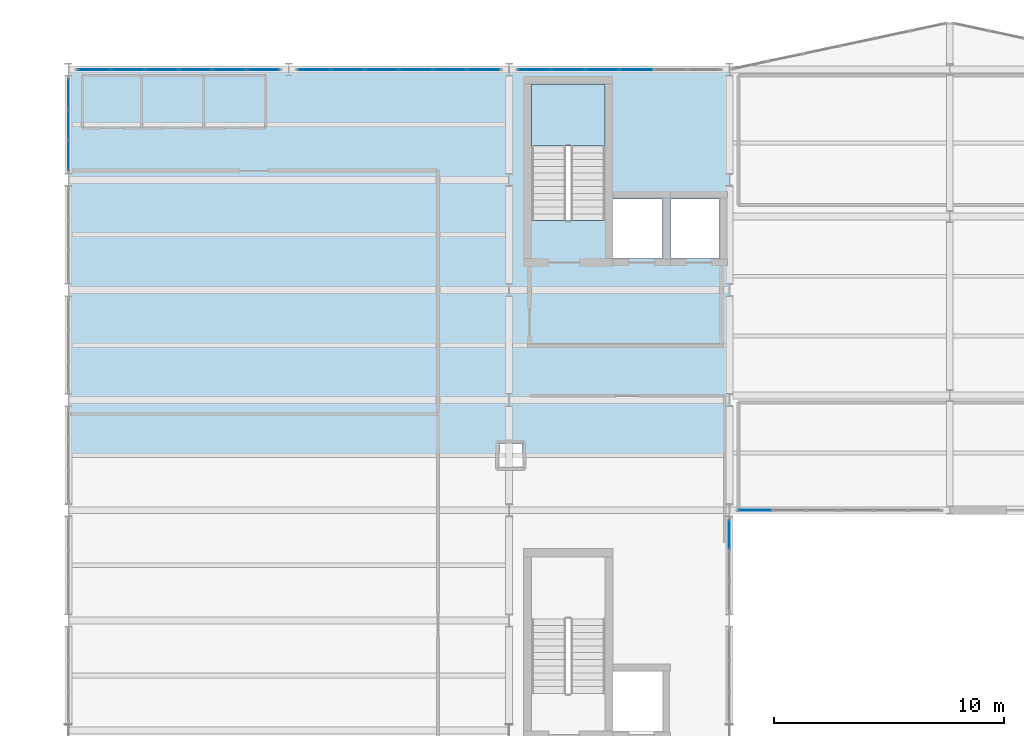
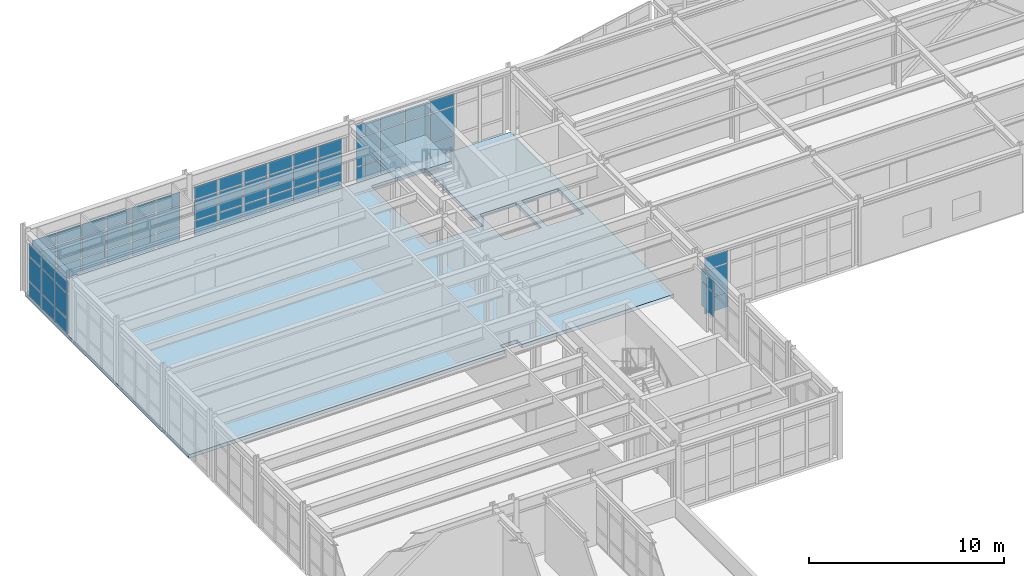
# One storey, part 46 of 64: 62 plates, 2 slabs, 7 elements without a shape of their own.
"""IFC4 building model written with IfcOpenShell, lengths in metres."""

from ifc_helpers import new_model, si_unit, direction, frame, origin, origin_2d, place, context, subcontext, project, spatial, polyline, rectangle, outline, extrude, material, layer, layer_set, type_object, element, aggregate, save


model = new_model("IFC4")

# Units and contexts
model_context = context("Model", 3, precision=1e-05, world=origin(), true_north=direction((0.0, 1.0)))
body_context = subcontext(model_context, "Body", "Model", "MODEL_VIEW")
ifc_project = project(units=[si_unit("LENGTHUNIT", "METRE"), si_unit("AREAUNIT", "SQUARE_METRE"), si_unit("VOLUMEUNIT", "CUBIC_METRE"), si_unit("PLANEANGLEUNIT", "RADIAN"), si_unit("MASSUNIT", "GRAM", prefix="KILO")], contexts=[model_context])

# Site, building, storey
site_placement = place(None, origin())
site = spatial("IfcSite", under=ifc_project, at=site_placement, CompositionType="ELEMENT")
building_placement = place(site_placement, origin())
building = spatial("IfcBuilding", under=site, at=building_placement, Name="Nordkorset Police Headquarters", CompositionType="ELEMENT")
storey_placement = place(building_placement, frame((0.0, 0.0, 17.85009765625)))
storey = spatial("IfcBuildingStorey", under=building, at=storey_placement, Name="L04", CompositionType="ELEMENT", Elevation=17.85009765625)

# Curtain wall, plates
ifc_material_1 = material(Name="Aluminium alloy AW-6060", Category="aluminium")
ifc_layer_1 = layer(ifc_material_1, 0.179931640625, Name="Aluminium alloy AW-6060")
ifc_layer_set_1 = layer_set([ifc_layer_1], Name="Aluminium alloy AW-6060")
curtain_wall_type_1 = type_object("IfcCurtainWallType", Name="CW_Unit_408x343", PredefinedType="USERDEFINED", material=ifc_layer_set_1)
curtain_wall_1_placement = place(storey_placement, origin())
curtain_wall_1 = element("IfcCurtainWall", 1, at=curtain_wall_1_placement, inside=storey, type_object=curtain_wall_type_1, Name="Unitised Curtain Wall L04 V1W-6", ObjectType="UNITISED CURTAIN WALL", PredefinedType="USERDEFINED")
ifc_material_2 = material(Name="Low-iron triple glazing", Category="glass")
ifc_layer_2 = layer(ifc_material_2, 0.035888671875, Name="Low-iron triple glazing")
ifc_layer_set_2 = layer_set([ifc_layer_2], Name="Low-iron triple glazing")
plate_type = type_object("IfcPlateType", Name="CW_Panel_TripleGlazing_36", PredefinedType="CURTAIN_PANEL", material=ifc_layer_set_2)
plate_1_placement = place(storey_placement, frame((0.0, 113.05615234375, 0.06494140625), z_axis=(0.0, 0.0, 1.0), x_axis=(0.0, 1.0, 0.0)))
plate_1 = element("IfcPlate", 2, at=plate_1_placement, type_object=plate_type, Name="CW-89 panel 1.1", PredefinedType="CURTAIN_PANEL", context=body_context, shape_type="SweptSolid", body=[
    extrude(rectangle(XDim=1.262451171875, YDim=0.035888671875, at=origin_2d()), origin(), (0.0, 0.0, 1.0), 0.902587890625),
])
plate_2_placement = place(storey_placement, frame((0.0, 113.05615234375, 1.0322265625), z_axis=(0.0, 0.0, 1.0), x_axis=(0.0, 1.0, 0.0)))
plate_2 = element("IfcPlate", 3, at=plate_2_placement, type_object=plate_type, Name="CW-89 panel 1.2", PredefinedType="CURTAIN_PANEL", context=body_context, shape_type="SweptSolid", body=[
    extrude(rectangle(XDim=1.262451171875, YDim=0.035888671875, at=origin_2d()), origin(), (0.0, 0.0, 1.0), 1.514892578125),
])
plate_3_placement = place(storey_placement, frame((0.0, 113.05615234375, 2.612548828125), z_axis=(0.0, 0.0, 1.0), x_axis=(0.0, 1.0, 0.0)))
plate_3 = element("IfcPlate", 4, at=plate_3_placement, type_object=plate_type, Name="CW-89 panel 1.3", PredefinedType="CURTAIN_PANEL", context=body_context, shape_type="SweptSolid", body=[
    extrude(rectangle(XDim=1.262451171875, YDim=0.035888671875, at=origin_2d()), origin(), (0.0, 0.0, 1.0), 0.75244140625),
])
plate_4_placement = place(storey_placement, frame((0.0, 114.39990234375, 0.06494140625), z_axis=(0.0, 0.0, 1.0), x_axis=(0.0, 1.0, 0.0)))
plate_4 = element("IfcPlate", 5, at=plate_4_placement, type_object=plate_type, Name="CW-89 panel 2.1", PredefinedType="CURTAIN_PANEL", context=body_context, shape_type="SweptSolid", body=[
    extrude(rectangle(XDim=1.294921875, YDim=0.035888671875, at=origin_2d()), origin(), (0.0, 0.0, 1.0), 0.902587890625),
])
plate_5_placement = place(storey_placement, frame((0.0, 114.39990234375, 1.0322265625), z_axis=(0.0, 0.0, 1.0), x_axis=(0.0, 1.0, 0.0)))
plate_5 = element("IfcPlate", 6, at=plate_5_placement, type_object=plate_type, Name="CW-89 panel 2.2", PredefinedType="CURTAIN_PANEL", context=body_context, shape_type="SweptSolid", body=[
    extrude(rectangle(XDim=1.294921875, YDim=0.035888671875, at=origin_2d()), origin(), (0.0, 0.0, 1.0), 1.514892578125),
])
plate_6_placement = place(storey_placement, frame((0.0, 114.39990234375, 2.612548828125), z_axis=(0.0, 0.0, 1.0), x_axis=(0.0, 1.0, 0.0)))
plate_6 = element("IfcPlate", 7, at=plate_6_placement, type_object=plate_type, Name="CW-89 panel 2.3", PredefinedType="CURTAIN_PANEL", context=body_context, shape_type="SweptSolid", body=[
    extrude(rectangle(XDim=1.294921875, YDim=0.035888671875, at=origin_2d()), origin(), (0.0, 0.0, 1.0), 0.75244140625),
])
plate_7_placement = place(storey_placement, frame((0.0, 115.74365234375, 0.06494140625), z_axis=(0.0, 0.0, 1.0), x_axis=(0.0, 1.0, 0.0)))
plate_7 = element("IfcPlate", 8, at=plate_7_placement, type_object=plate_type, Name="CW-89 panel 3.1", PredefinedType="CURTAIN_PANEL", context=body_context, shape_type="SweptSolid", body=[
    extrude(rectangle(XDim=1.262451171875, YDim=0.035888671875, at=origin_2d()), origin(), (0.0, 0.0, 1.0), 0.902587890625),
])
plate_8_placement = place(storey_placement, frame((0.0, 115.74365234375, 1.0322265625), z_axis=(0.0, 0.0, 1.0), x_axis=(0.0, 1.0, 0.0)))
plate_8 = element("IfcPlate", 9, at=plate_8_placement, type_object=plate_type, Name="CW-89 panel 3.2", PredefinedType="CURTAIN_PANEL", context=body_context, shape_type="SweptSolid", body=[
    extrude(rectangle(XDim=1.262451171875, YDim=0.035888671875, at=origin_2d()), origin(), (0.0, 0.0, 1.0), 1.514892578125),
])
plate_9_placement = place(storey_placement, frame((0.0, 115.74365234375, 2.612548828125), z_axis=(0.0, 0.0, 1.0), x_axis=(0.0, 1.0, 0.0)))
plate_9 = element("IfcPlate", 10, at=plate_9_placement, type_object=plate_type, Name="CW-89 panel 3.3", PredefinedType="CURTAIN_PANEL", context=body_context, shape_type="SweptSolid", body=[
    extrude(rectangle(XDim=1.262451171875, YDim=0.035888671875, at=origin_2d()), origin(), (0.0, 0.0, 1.0), 0.75244140625),
])
aggregate(curtain_wall_1, [plate_1, plate_2, plate_3, plate_4, plate_5, plate_6, plate_7, plate_8, plate_9])

ifc_material_3 = material(Name="Aluminium alloy AW-6060", Category="aluminium")
ifc_layer_3 = layer(ifc_material_3, 0.179931640625, Name="Aluminium alloy AW-6060")
ifc_layer_set_3 = layer_set([ifc_layer_3], Name="Aluminium alloy AW-6060")
curtain_wall_type_2 = type_object("IfcCurtainWallType", Name="CW_Unit_888x317", PredefinedType="USERDEFINED", material=ifc_layer_set_3)
curtain_wall_2_placement = place(storey_placement, origin())
curtain_wall_2 = element("IfcCurtainWall", 11, at=curtain_wall_2_placement, inside=storey, type_object=curtain_wall_type_2, Name="Unitised Curtain Wall L04 V1N-0", ObjectType="UNITISED CURTAIN WALL", PredefinedType="USERDEFINED")
plate_10_placement = place(storey_placement, frame((1.1162109375, 116.800048828125, 0.06494140625), z_axis=(0.0, 0.0, 1.0), x_axis=(1.0, 0.0, 0.0)))
plate_10 = element("IfcPlate", 12, at=plate_10_placement, type_object=plate_type, Name="CW-45 panel 1.1", PredefinedType="CURTAIN_PANEL", context=body_context, shape_type="SweptSolid", body=[
    extrude(rectangle(XDim=1.382568359375, YDim=0.035888671875, at=origin_2d()), origin(), (0.0, 0.0, 1.0), 0.902587890625),
])
plate_11_placement = place(storey_placement, frame((1.1162109375, 116.800048828125, 1.032470703125), z_axis=(0.0, 0.0, 1.0), x_axis=(1.0, 0.0, 0.0)))
plate_11 = element("IfcPlate", 13, at=plate_11_placement, type_object=plate_type, Name="CW-45 panel 1.2", PredefinedType="CURTAIN_PANEL", context=body_context, shape_type="SweptSolid", body=[
    extrude(rectangle(XDim=1.382568359375, YDim=0.035888671875, at=origin_2d()), origin(), (0.0, 0.0, 1.0), 1.2548828125),
])
plate_12_placement = place(storey_placement, frame((1.1162109375, 116.800048828125, 2.3525390625), z_axis=(0.0, 0.0, 1.0), x_axis=(1.0, 0.0, 0.0)))
plate_12 = element("IfcPlate", 14, at=plate_12_placement, type_object=plate_type, Name="CW-45 panel 1.3", PredefinedType="CURTAIN_PANEL", context=body_context, shape_type="SweptSolid", body=[
    extrude(rectangle(XDim=1.382568359375, YDim=0.035888671875, at=origin_2d()), origin(), (0.0, 0.0, 1.0), 0.75244140625),
])
plate_13_placement = place(storey_placement, frame((2.580078125, 116.800048828125, 0.06494140625), z_axis=(0.0, 0.0, 1.0), x_axis=(1.0, 0.0, 0.0)))
plate_13 = element("IfcPlate", 15, at=plate_13_placement, type_object=plate_type, Name="CW-45 panel 2.1", PredefinedType="CURTAIN_PANEL", context=body_context, shape_type="SweptSolid", body=[
    extrude(rectangle(XDim=1.4150390625, YDim=0.035888671875, at=origin_2d()), origin(), (0.0, 0.0, 1.0), 0.902587890625),
])
plate_14_placement = place(storey_placement, frame((2.580078125, 116.800048828125, 1.032470703125), z_axis=(0.0, 0.0, 1.0), x_axis=(1.0, 0.0, 0.0)))
plate_14 = element("IfcPlate", 16, at=plate_14_placement, type_object=plate_type, Name="CW-45 panel 2.2", PredefinedType="CURTAIN_PANEL", context=body_context, shape_type="SweptSolid", body=[
    extrude(rectangle(XDim=1.4150390625, YDim=0.035888671875, at=origin_2d()), origin(), (0.0, 0.0, 1.0), 1.2548828125),
])
plate_15_placement = place(storey_placement, frame((2.580078125, 116.800048828125, 2.3525390625), z_axis=(0.0, 0.0, 1.0), x_axis=(1.0, 0.0, 0.0)))
plate_15 = element("IfcPlate", 17, at=plate_15_placement, type_object=plate_type, Name="CW-45 panel 2.3", PredefinedType="CURTAIN_PANEL", context=body_context, shape_type="SweptSolid", body=[
    extrude(rectangle(XDim=1.4150390625, YDim=0.035888671875, at=origin_2d()), origin(), (0.0, 0.0, 1.0), 0.75244140625),
])
plate_16_placement = place(storey_placement, frame((4.06005859375, 116.800048828125, 0.06494140625), z_axis=(0.0, 0.0, 1.0), x_axis=(1.0, 0.0, 0.0)))
plate_16 = element("IfcPlate", 18, at=plate_16_placement, type_object=plate_type, Name="CW-45 panel 3.1", PredefinedType="CURTAIN_PANEL", context=body_context, shape_type="SweptSolid", body=[
    extrude(rectangle(XDim=1.4150390625, YDim=0.035888671875, at=origin_2d()), origin(), (0.0, 0.0, 1.0), 0.902587890625),
])
plate_17_placement = place(storey_placement, frame((4.06005859375, 116.800048828125, 1.032470703125), z_axis=(0.0, 0.0, 1.0), x_axis=(1.0, 0.0, 0.0)))
plate_17 = element("IfcPlate", 19, at=plate_17_placement, type_object=plate_type, Name="CW-45 panel 3.2", PredefinedType="CURTAIN_PANEL", context=body_context, shape_type="SweptSolid", body=[
    extrude(rectangle(XDim=1.4150390625, YDim=0.035888671875, at=origin_2d()), origin(), (0.0, 0.0, 1.0), 1.2548828125),
])
plate_18_placement = place(storey_placement, frame((4.06005859375, 116.800048828125, 2.3525390625), z_axis=(0.0, 0.0, 1.0), x_axis=(1.0, 0.0, 0.0)))
plate_18 = element("IfcPlate", 20, at=plate_18_placement, type_object=plate_type, Name="CW-45 panel 3.3", PredefinedType="CURTAIN_PANEL", context=body_context, shape_type="SweptSolid", body=[
    extrude(rectangle(XDim=1.4150390625, YDim=0.035888671875, at=origin_2d()), origin(), (0.0, 0.0, 1.0), 0.75244140625),
])
plate_19_placement = place(storey_placement, frame((5.5400390625, 116.800048828125, 0.06494140625), z_axis=(0.0, 0.0, 1.0), x_axis=(1.0, 0.0, 0.0)))
plate_19 = element("IfcPlate", 21, at=plate_19_placement, type_object=plate_type, Name="CW-45 panel 4.1", PredefinedType="CURTAIN_PANEL", context=body_context, shape_type="SweptSolid", body=[
    extrude(rectangle(XDim=1.4150390625, YDim=0.035888671875, at=origin_2d()), origin(), (0.0, 0.0, 1.0), 0.902587890625),
])
plate_20_placement = place(storey_placement, frame((5.5400390625, 116.800048828125, 1.032470703125), z_axis=(0.0, 0.0, 1.0), x_axis=(1.0, 0.0, 0.0)))
plate_20 = element("IfcPlate", 22, at=plate_20_placement, type_object=plate_type, Name="CW-45 panel 4.2", PredefinedType="CURTAIN_PANEL", context=body_context, shape_type="SweptSolid", body=[
    extrude(rectangle(XDim=1.4150390625, YDim=0.035888671875, at=origin_2d()), origin(), (0.0, 0.0, 1.0), 1.2548828125),
])
plate_21_placement = place(storey_placement, frame((5.5400390625, 116.800048828125, 2.3525390625), z_axis=(0.0, 0.0, 1.0), x_axis=(1.0, 0.0, 0.0)))
plate_21 = element("IfcPlate", 23, at=plate_21_placement, type_object=plate_type, Name="CW-45 panel 4.3", PredefinedType="CURTAIN_PANEL", context=body_context, shape_type="SweptSolid", body=[
    extrude(rectangle(XDim=1.4150390625, YDim=0.035888671875, at=origin_2d()), origin(), (0.0, 0.0, 1.0), 0.75244140625),
])
plate_22_placement = place(storey_placement, frame((7.02001953125, 116.800048828125, 0.06494140625), z_axis=(0.0, 0.0, 1.0), x_axis=(1.0, 0.0, 0.0)))
plate_22 = element("IfcPlate", 24, at=plate_22_placement, type_object=plate_type, Name="CW-45 panel 5.1", PredefinedType="CURTAIN_PANEL", context=body_context, shape_type="SweptSolid", body=[
    extrude(rectangle(XDim=1.4150390625, YDim=0.035888671875, at=origin_2d()), origin(), (0.0, 0.0, 1.0), 0.902587890625),
])
plate_23_placement = place(storey_placement, frame((7.02001953125, 116.800048828125, 1.032470703125), z_axis=(0.0, 0.0, 1.0), x_axis=(1.0, 0.0, 0.0)))
plate_23 = element("IfcPlate", 25, at=plate_23_placement, type_object=plate_type, Name="CW-45 panel 5.2", PredefinedType="CURTAIN_PANEL", context=body_context, shape_type="SweptSolid", body=[
    extrude(rectangle(XDim=1.4150390625, YDim=0.035888671875, at=origin_2d()), origin(), (0.0, 0.0, 1.0), 1.2548828125),
])
plate_24_placement = place(storey_placement, frame((7.02001953125, 116.800048828125, 2.3525390625), z_axis=(0.0, 0.0, 1.0), x_axis=(1.0, 0.0, 0.0)))
plate_24 = element("IfcPlate", 26, at=plate_24_placement, type_object=plate_type, Name="CW-45 panel 5.3", PredefinedType="CURTAIN_PANEL", context=body_context, shape_type="SweptSolid", body=[
    extrude(rectangle(XDim=1.4150390625, YDim=0.035888671875, at=origin_2d()), origin(), (0.0, 0.0, 1.0), 0.75244140625),
])
plate_25_placement = place(storey_placement, frame((8.483642578125, 116.800048828125, 0.06494140625), z_axis=(0.0, 0.0, 1.0), x_axis=(1.0, 0.0, 0.0)))
plate_25 = element("IfcPlate", 27, at=plate_25_placement, type_object=plate_type, Name="CW-45 panel 6.1", PredefinedType="CURTAIN_PANEL", context=body_context, shape_type="SweptSolid", body=[
    extrude(rectangle(XDim=1.382568359375, YDim=0.035888671875, at=origin_2d()), origin(), (0.0, 0.0, 1.0), 0.902587890625),
])
plate_26_placement = place(storey_placement, frame((8.483642578125, 116.800048828125, 1.032470703125), z_axis=(0.0, 0.0, 1.0), x_axis=(1.0, 0.0, 0.0)))
plate_26 = element("IfcPlate", 28, at=plate_26_placement, type_object=plate_type, Name="CW-45 panel 6.2", PredefinedType="CURTAIN_PANEL", context=body_context, shape_type="SweptSolid", body=[
    extrude(rectangle(XDim=1.382568359375, YDim=0.035888671875, at=origin_2d()), origin(), (0.0, 0.0, 1.0), 1.2548828125),
])
plate_27_placement = place(storey_placement, frame((8.483642578125, 116.800048828125, 2.3525390625), z_axis=(0.0, 0.0, 1.0), x_axis=(1.0, 0.0, 0.0)))
plate_27 = element("IfcPlate", 29, at=plate_27_placement, type_object=plate_type, Name="CW-45 panel 6.3", PredefinedType="CURTAIN_PANEL", context=body_context, shape_type="SweptSolid", body=[
    extrude(rectangle(XDim=1.382568359375, YDim=0.035888671875, at=origin_2d()), origin(), (0.0, 0.0, 1.0), 0.75244140625),
])
aggregate(curtain_wall_2, [plate_10, plate_11, plate_12, plate_13, plate_14, plate_15, plate_16, plate_17, plate_18, plate_19, plate_20, plate_21, plate_22, plate_23, plate_24, plate_25, plate_26, plate_27])

curtain_wall_3_placement = place(storey_placement, origin())
curtain_wall_3 = element("IfcCurtainWall", 30, at=curtain_wall_3_placement, inside=storey, type_object=curtain_wall_type_2, Name="Unitised Curtain Wall L04 V1N-1", ObjectType="UNITISED CURTAIN WALL", PredefinedType="USERDEFINED")
plate_28_placement = place(storey_placement, frame((10.71630859375, 116.800048828125, 0.06494140625), z_axis=(0.0, 0.0, 1.0), x_axis=(1.0, 0.0, 0.0)))
plate_28 = element("IfcPlate", 31, at=plate_28_placement, type_object=plate_type, Name="CW-45 panel 1.1", PredefinedType="CURTAIN_PANEL", context=body_context, shape_type="SweptSolid", body=[
    extrude(rectangle(XDim=1.382568359375, YDim=0.035888671875, at=origin_2d()), origin(), (0.0, 0.0, 1.0), 0.902587890625),
])
plate_29_placement = place(storey_placement, frame((10.71630859375, 116.800048828125, 1.032470703125), z_axis=(0.0, 0.0, 1.0), x_axis=(1.0, 0.0, 0.0)))
plate_29 = element("IfcPlate", 32, at=plate_29_placement, type_object=plate_type, Name="CW-45 panel 1.2", PredefinedType="CURTAIN_PANEL", context=body_context, shape_type="SweptSolid", body=[
    extrude(rectangle(XDim=1.382568359375, YDim=0.035888671875, at=origin_2d()), origin(), (0.0, 0.0, 1.0), 1.2548828125),
])
plate_30_placement = place(storey_placement, frame((10.71630859375, 116.800048828125, 2.3525390625), z_axis=(0.0, 0.0, 1.0), x_axis=(1.0, 0.0, 0.0)))
plate_30 = element("IfcPlate", 33, at=plate_30_placement, type_object=plate_type, Name="CW-45 panel 1.3", PredefinedType="CURTAIN_PANEL", context=body_context, shape_type="SweptSolid", body=[
    extrude(rectangle(XDim=1.382568359375, YDim=0.035888671875, at=origin_2d()), origin(), (0.0, 0.0, 1.0), 0.75244140625),
])
plate_31_placement = place(storey_placement, frame((12.179931640625, 116.800048828125, 0.06494140625), z_axis=(0.0, 0.0, 1.0), x_axis=(1.0, 0.0, 0.0)))
plate_31 = element("IfcPlate", 34, at=plate_31_placement, type_object=plate_type, Name="CW-45 panel 2.1", PredefinedType="CURTAIN_PANEL", context=body_context, shape_type="SweptSolid", body=[
    extrude(rectangle(XDim=1.4150390625, YDim=0.035888671875, at=origin_2d()), origin(), (0.0, 0.0, 1.0), 0.902587890625),
])
plate_32_placement = place(storey_placement, frame((12.179931640625, 116.800048828125, 1.032470703125), z_axis=(0.0, 0.0, 1.0), x_axis=(1.0, 0.0, 0.0)))
plate_32 = element("IfcPlate", 35, at=plate_32_placement, type_object=plate_type, Name="CW-45 panel 2.2", PredefinedType="CURTAIN_PANEL", context=body_context, shape_type="SweptSolid", body=[
    extrude(rectangle(XDim=1.4150390625, YDim=0.035888671875, at=origin_2d()), origin(), (0.0, 0.0, 1.0), 1.2548828125),
])
plate_33_placement = place(storey_placement, frame((12.179931640625, 116.800048828125, 2.3525390625), z_axis=(0.0, 0.0, 1.0), x_axis=(1.0, 0.0, 0.0)))
plate_33 = element("IfcPlate", 36, at=plate_33_placement, type_object=plate_type, Name="CW-45 panel 2.3", PredefinedType="CURTAIN_PANEL", context=body_context, shape_type="SweptSolid", body=[
    extrude(rectangle(XDim=1.4150390625, YDim=0.035888671875, at=origin_2d()), origin(), (0.0, 0.0, 1.0), 0.75244140625),
])
plate_34_placement = place(storey_placement, frame((13.659912109375, 116.800048828125, 0.06494140625), z_axis=(0.0, 0.0, 1.0), x_axis=(1.0, 0.0, 0.0)))
plate_34 = element("IfcPlate", 37, at=plate_34_placement, type_object=plate_type, Name="CW-45 panel 3.1", PredefinedType="CURTAIN_PANEL", context=body_context, shape_type="SweptSolid", body=[
    extrude(rectangle(XDim=1.4150390625, YDim=0.035888671875, at=origin_2d()), origin(), (0.0, 0.0, 1.0), 0.902587890625),
])
plate_35_placement = place(storey_placement, frame((13.659912109375, 116.800048828125, 1.032470703125), z_axis=(0.0, 0.0, 1.0), x_axis=(1.0, 0.0, 0.0)))
plate_35 = element("IfcPlate", 38, at=plate_35_placement, type_object=plate_type, Name="CW-45 panel 3.2", PredefinedType="CURTAIN_PANEL", context=body_context, shape_type="SweptSolid", body=[
    extrude(rectangle(XDim=1.4150390625, YDim=0.035888671875, at=origin_2d()), origin(), (0.0, 0.0, 1.0), 1.2548828125),
])
plate_36_placement = place(storey_placement, frame((13.659912109375, 116.800048828125, 2.3525390625), z_axis=(0.0, 0.0, 1.0), x_axis=(1.0, 0.0, 0.0)))
plate_36 = element("IfcPlate", 39, at=plate_36_placement, type_object=plate_type, Name="CW-45 panel 3.3", PredefinedType="CURTAIN_PANEL", context=body_context, shape_type="SweptSolid", body=[
    extrude(rectangle(XDim=1.4150390625, YDim=0.035888671875, at=origin_2d()), origin(), (0.0, 0.0, 1.0), 0.75244140625),
])
plate_37_placement = place(storey_placement, frame((15.139892578125, 116.800048828125, 0.06494140625), z_axis=(0.0, 0.0, 1.0), x_axis=(1.0, 0.0, 0.0)))
plate_37 = element("IfcPlate", 40, at=plate_37_placement, type_object=plate_type, Name="CW-45 panel 4.1", PredefinedType="CURTAIN_PANEL", context=body_context, shape_type="SweptSolid", body=[
    extrude(rectangle(XDim=1.4150390625, YDim=0.035888671875, at=origin_2d()), origin(), (0.0, 0.0, 1.0), 0.902587890625),
])
plate_38_placement = place(storey_placement, frame((15.139892578125, 116.800048828125, 1.032470703125), z_axis=(0.0, 0.0, 1.0), x_axis=(1.0, 0.0, 0.0)))
plate_38 = element("IfcPlate", 41, at=plate_38_placement, type_object=plate_type, Name="CW-45 panel 4.2", PredefinedType="CURTAIN_PANEL", context=body_context, shape_type="SweptSolid", body=[
    extrude(rectangle(XDim=1.4150390625, YDim=0.035888671875, at=origin_2d()), origin(), (0.0, 0.0, 1.0), 1.2548828125),
])
plate_39_placement = place(storey_placement, frame((15.139892578125, 116.800048828125, 2.3525390625), z_axis=(0.0, 0.0, 1.0), x_axis=(1.0, 0.0, 0.0)))
plate_39 = element("IfcPlate", 42, at=plate_39_placement, type_object=plate_type, Name="CW-45 panel 4.3", PredefinedType="CURTAIN_PANEL", context=body_context, shape_type="SweptSolid", body=[
    extrude(rectangle(XDim=1.4150390625, YDim=0.035888671875, at=origin_2d()), origin(), (0.0, 0.0, 1.0), 0.75244140625),
])
plate_40_placement = place(storey_placement, frame((16.6201171875, 116.800048828125, 0.06494140625), z_axis=(0.0, 0.0, 1.0), x_axis=(1.0, 0.0, 0.0)))
plate_40 = element("IfcPlate", 43, at=plate_40_placement, type_object=plate_type, Name="CW-45 panel 5.1", PredefinedType="CURTAIN_PANEL", context=body_context, shape_type="SweptSolid", body=[
    extrude(rectangle(XDim=1.4150390625, YDim=0.035888671875, at=origin_2d()), origin(), (0.0, 0.0, 1.0), 0.902587890625),
])
plate_41_placement = place(storey_placement, frame((16.6201171875, 116.800048828125, 1.032470703125), z_axis=(0.0, 0.0, 1.0), x_axis=(1.0, 0.0, 0.0)))
plate_41 = element("IfcPlate", 44, at=plate_41_placement, type_object=plate_type, Name="CW-45 panel 5.2", PredefinedType="CURTAIN_PANEL", context=body_context, shape_type="SweptSolid", body=[
    extrude(rectangle(XDim=1.4150390625, YDim=0.035888671875, at=origin_2d()), origin(), (0.0, 0.0, 1.0), 1.2548828125),
])
plate_42_placement = place(storey_placement, frame((16.6201171875, 116.800048828125, 2.3525390625), z_axis=(0.0, 0.0, 1.0), x_axis=(1.0, 0.0, 0.0)))
plate_42 = element("IfcPlate", 45, at=plate_42_placement, type_object=plate_type, Name="CW-45 panel 5.3", PredefinedType="CURTAIN_PANEL", context=body_context, shape_type="SweptSolid", body=[
    extrude(rectangle(XDim=1.4150390625, YDim=0.035888671875, at=origin_2d()), origin(), (0.0, 0.0, 1.0), 0.75244140625),
])
plate_43_placement = place(storey_placement, frame((18.083740234375, 116.800048828125, 0.06494140625), z_axis=(0.0, 0.0, 1.0), x_axis=(1.0, 0.0, 0.0)))
plate_43 = element("IfcPlate", 46, at=plate_43_placement, type_object=plate_type, Name="CW-45 panel 6.1", PredefinedType="CURTAIN_PANEL", context=body_context, shape_type="SweptSolid", body=[
    extrude(rectangle(XDim=1.382568359375, YDim=0.035888671875, at=origin_2d()), origin(), (0.0, 0.0, 1.0), 0.902587890625),
])
plate_44_placement = place(storey_placement, frame((18.083740234375, 116.800048828125, 1.032470703125), z_axis=(0.0, 0.0, 1.0), x_axis=(1.0, 0.0, 0.0)))
plate_44 = element("IfcPlate", 47, at=plate_44_placement, type_object=plate_type, Name="CW-45 panel 6.2", PredefinedType="CURTAIN_PANEL", context=body_context, shape_type="SweptSolid", body=[
    extrude(rectangle(XDim=1.382568359375, YDim=0.035888671875, at=origin_2d()), origin(), (0.0, 0.0, 1.0), 1.2548828125),
])
plate_45_placement = place(storey_placement, frame((18.083740234375, 116.800048828125, 2.3525390625), z_axis=(0.0, 0.0, 1.0), x_axis=(1.0, 0.0, 0.0)))
plate_45 = element("IfcPlate", 48, at=plate_45_placement, type_object=plate_type, Name="CW-45 panel 6.3", PredefinedType="CURTAIN_PANEL", context=body_context, shape_type="SweptSolid", body=[
    extrude(rectangle(XDim=1.382568359375, YDim=0.035888671875, at=origin_2d()), origin(), (0.0, 0.0, 1.0), 0.75244140625),
])
aggregate(curtain_wall_3, [plate_28, plate_29, plate_30, plate_31, plate_32, plate_33, plate_34, plate_35, plate_36, plate_37, plate_38, plate_39, plate_40, plate_41, plate_42, plate_43, plate_44, plate_45])

ifc_material_4 = material(Name="Aluminium alloy AW-6060", Category="aluminium")
ifc_layer_4 = layer(ifc_material_4, 0.179931640625, Name="Aluminium alloy AW-6060")
ifc_layer_set_4 = layer_set([ifc_layer_4], Name="Aluminium alloy AW-6060")
curtain_wall_type_3 = type_object("IfcCurtainWallType", Name="CW_Unit_888x366", PredefinedType="USERDEFINED", material=ifc_layer_set_4)
curtain_wall_4_placement = place(storey_placement, origin())
curtain_wall_4 = element("IfcCurtainWall", 49, at=curtain_wall_4_placement, inside=storey, type_object=curtain_wall_type_3, Name="Unitised Curtain Wall L04 V1N-2", ObjectType="UNITISED CURTAIN WALL", PredefinedType="USERDEFINED")
plate_46_placement = place(storey_placement, frame((20.316162109375, 116.800048828125, 0.06494140625), z_axis=(0.0, 0.0, 1.0), x_axis=(1.0, 0.0, 0.0)))
plate_46 = element("IfcPlate", 50, at=plate_46_placement, type_object=plate_type, Name="CW-19 panel 1.1", PredefinedType="CURTAIN_PANEL", context=body_context, shape_type="SweptSolid", body=[
    extrude(rectangle(XDim=1.382568359375, YDim=0.035888671875, at=origin_2d()), origin(), (0.0, 0.0, 1.0), 0.902587890625),
])
plate_47_placement = place(storey_placement, frame((20.316162109375, 116.800048828125, 1.0322265625), z_axis=(0.0, 0.0, 1.0), x_axis=(1.0, 0.0, 0.0)))
plate_47 = element("IfcPlate", 51, at=plate_47_placement, type_object=plate_type, Name="CW-19 panel 1.2", PredefinedType="CURTAIN_PANEL", context=body_context, shape_type="SweptSolid", body=[
    extrude(rectangle(XDim=1.382568359375, YDim=0.035888671875, at=origin_2d()), origin(), (0.0, 0.0, 1.0), 1.7451171875),
])
plate_48_placement = place(storey_placement, frame((20.316162109375, 116.800048828125, 2.842529296875), z_axis=(0.0, 0.0, 1.0), x_axis=(1.0, 0.0, 0.0)))
plate_48 = element("IfcPlate", 52, at=plate_48_placement, type_object=plate_type, Name="CW-19 panel 1.3", PredefinedType="CURTAIN_PANEL", context=body_context, shape_type="SweptSolid", body=[
    extrude(rectangle(XDim=1.382568359375, YDim=0.035888671875, at=origin_2d()), origin(), (0.0, 0.0, 1.0), 0.75244140625),
])
plate_49_placement = place(storey_placement, frame((21.780029296875, 116.800048828125, 0.06494140625), z_axis=(0.0, 0.0, 1.0), x_axis=(1.0, 0.0, 0.0)))
plate_49 = element("IfcPlate", 53, at=plate_49_placement, type_object=plate_type, Name="CW-19 panel 2.1", PredefinedType="CURTAIN_PANEL", context=body_context, shape_type="SweptSolid", body=[
    extrude(rectangle(XDim=1.4150390625, YDim=0.035888671875, at=origin_2d()), origin(), (0.0, 0.0, 1.0), 0.902587890625),
])
plate_50_placement = place(storey_placement, frame((21.780029296875, 116.800048828125, 1.0322265625), z_axis=(0.0, 0.0, 1.0), x_axis=(1.0, 0.0, 0.0)))
plate_50 = element("IfcPlate", 54, at=plate_50_placement, type_object=plate_type, Name="CW-19 panel 2.2", PredefinedType="CURTAIN_PANEL", context=body_context, shape_type="SweptSolid", body=[
    extrude(rectangle(XDim=1.4150390625, YDim=0.035888671875, at=origin_2d()), origin(), (0.0, 0.0, 1.0), 1.7451171875),
])
plate_51_placement = place(storey_placement, frame((21.780029296875, 116.800048828125, 2.842529296875), z_axis=(0.0, 0.0, 1.0), x_axis=(1.0, 0.0, 0.0)))
plate_51 = element("IfcPlate", 55, at=plate_51_placement, type_object=plate_type, Name="CW-19 panel 2.3", PredefinedType="CURTAIN_PANEL", context=body_context, shape_type="SweptSolid", body=[
    extrude(rectangle(XDim=1.4150390625, YDim=0.035888671875, at=origin_2d()), origin(), (0.0, 0.0, 1.0), 0.75244140625),
])
plate_52_placement = place(storey_placement, frame((23.260009765625, 116.800048828125, 0.06494140625), z_axis=(0.0, 0.0, 1.0), x_axis=(1.0, 0.0, 0.0)))
plate_52 = element("IfcPlate", 56, at=plate_52_placement, type_object=plate_type, Name="CW-19 panel 3.1", PredefinedType="CURTAIN_PANEL", context=body_context, shape_type="SweptSolid", body=[
    extrude(rectangle(XDim=1.4150390625, YDim=0.035888671875, at=origin_2d()), origin(), (0.0, 0.0, 1.0), 0.902587890625),
])
plate_53_placement = place(storey_placement, frame((23.260009765625, 116.800048828125, 1.0322265625), z_axis=(0.0, 0.0, 1.0), x_axis=(1.0, 0.0, 0.0)))
plate_53 = element("IfcPlate", 57, at=plate_53_placement, type_object=plate_type, Name="CW-19 panel 3.2", PredefinedType="CURTAIN_PANEL", context=body_context, shape_type="SweptSolid", body=[
    extrude(rectangle(XDim=1.4150390625, YDim=0.035888671875, at=origin_2d()), origin(), (0.0, 0.0, 1.0), 1.7451171875),
])
plate_54_placement = place(storey_placement, frame((23.260009765625, 116.800048828125, 2.842529296875), z_axis=(0.0, 0.0, 1.0), x_axis=(1.0, 0.0, 0.0)))
plate_54 = element("IfcPlate", 58, at=plate_54_placement, type_object=plate_type, Name="CW-19 panel 3.3", PredefinedType="CURTAIN_PANEL", context=body_context, shape_type="SweptSolid", body=[
    extrude(rectangle(XDim=1.4150390625, YDim=0.035888671875, at=origin_2d()), origin(), (0.0, 0.0, 1.0), 0.75244140625),
])
plate_55_placement = place(storey_placement, frame((24.739990234375, 116.800048828125, 0.06494140625), z_axis=(0.0, 0.0, 1.0), x_axis=(1.0, 0.0, 0.0)))
plate_55 = element("IfcPlate", 59, at=plate_55_placement, type_object=plate_type, Name="CW-19 panel 4.1", PredefinedType="CURTAIN_PANEL", context=body_context, shape_type="SweptSolid", body=[
    extrude(rectangle(XDim=1.4150390625, YDim=0.035888671875, at=origin_2d()), origin(), (0.0, 0.0, 1.0), 0.902587890625),
])
plate_56_placement = place(storey_placement, frame((24.739990234375, 116.800048828125, 1.0322265625), z_axis=(0.0, 0.0, 1.0), x_axis=(1.0, 0.0, 0.0)))
plate_56 = element("IfcPlate", 60, at=plate_56_placement, type_object=plate_type, Name="CW-19 panel 4.2", PredefinedType="CURTAIN_PANEL", context=body_context, shape_type="SweptSolid", body=[
    extrude(rectangle(XDim=1.4150390625, YDim=0.035888671875, at=origin_2d()), origin(), (0.0, 0.0, 1.0), 1.7451171875),
])
plate_57_placement = place(storey_placement, frame((24.739990234375, 116.800048828125, 2.842529296875), z_axis=(0.0, 0.0, 1.0), x_axis=(1.0, 0.0, 0.0)))
plate_57 = element("IfcPlate", 61, at=plate_57_placement, type_object=plate_type, Name="CW-19 panel 4.3", PredefinedType="CURTAIN_PANEL", context=body_context, shape_type="SweptSolid", body=[
    extrude(rectangle(XDim=1.4150390625, YDim=0.035888671875, at=origin_2d()), origin(), (0.0, 0.0, 1.0), 0.75244140625),
])
aggregate(curtain_wall_4, [plate_46, plate_47, plate_48, plate_49, plate_50, plate_51, plate_52, plate_53, plate_54, plate_55, plate_56, plate_57])

curtain_wall_5_placement = place(storey_placement, origin())
curtain_wall_5 = element("IfcCurtainWall", 62, at=curtain_wall_5_placement, inside=storey, type_object=curtain_wall_type_1, Name="Unitised Curtain Wall L04 V1E-2", ObjectType="UNITISED CURTAIN WALL", PredefinedType="USERDEFINED")
plate_58_placement = place(storey_placement, frame((28.800048828125, 96.543701171875, 1.0322265625), z_axis=(0.0, 0.0, 1.0), x_axis=(0.0, 1.0, 0.0)))
plate_58 = element("IfcPlate", 63, at=plate_58_placement, type_object=plate_type, Name="CW-89 panel 3.2", PredefinedType="CURTAIN_PANEL", context=body_context, shape_type="SweptSolid", body=[
    extrude(rectangle(XDim=1.262451171875, YDim=0.035888671875, at=origin_2d()), origin(), (0.0, 0.0, 1.0), 1.514892578125),
])
plate_59_placement = place(storey_placement, frame((28.800048828125, 96.543701171875, 2.612548828125), z_axis=(0.0, 0.0, 1.0), x_axis=(0.0, 1.0, 0.0)))
plate_59 = element("IfcPlate", 64, at=plate_59_placement, type_object=plate_type, Name="CW-89 panel 3.3", PredefinedType="CURTAIN_PANEL", context=body_context, shape_type="SweptSolid", body=[
    extrude(rectangle(XDim=1.262451171875, YDim=0.035888671875, at=origin_2d()), origin(), (0.0, 0.0, 1.0), 0.75244140625),
])
aggregate(curtain_wall_5, [plate_58, plate_59])

curtain_wall_6_placement = place(storey_placement, origin())
curtain_wall_6 = element("IfcCurtainWall", 65, at=curtain_wall_6_placement, inside=storey, type_object=curtain_wall_type_3, Name="Unitised Curtain Wall L04 V2S-0", ObjectType="UNITISED CURTAIN WALL", PredefinedType="USERDEFINED")
plate_60_placement = place(storey_placement, frame((29.916259765625, 97.60009765625, 0.06494140625), z_axis=(0.0, 0.0, 1.0), x_axis=(1.0, 0.0, 0.0)))
plate_60 = element("IfcPlate", 66, at=plate_60_placement, type_object=plate_type, Name="CW-19 panel 1.1", PredefinedType="CURTAIN_PANEL", context=body_context, shape_type="SweptSolid", body=[
    extrude(rectangle(XDim=1.382568359375, YDim=0.035888671875, at=origin_2d()), origin(), (0.0, 0.0, 1.0), 0.902587890625),
])
plate_61_placement = place(storey_placement, frame((29.916259765625, 97.60009765625, 1.0322265625), z_axis=(0.0, 0.0, 1.0), x_axis=(1.0, 0.0, 0.0)))
plate_61 = element("IfcPlate", 67, at=plate_61_placement, type_object=plate_type, Name="CW-19 panel 1.2", PredefinedType="CURTAIN_PANEL", context=body_context, shape_type="SweptSolid", body=[
    extrude(rectangle(XDim=1.382568359375, YDim=0.035888671875, at=origin_2d()), origin(), (0.0, 0.0, 1.0), 1.739990234375),
])
plate_62_placement = place(storey_placement, frame((29.916259765625, 97.60009765625, 2.83740234375), z_axis=(0.0, 0.0, 1.0), x_axis=(1.0, 0.0, 0.0)))
plate_62 = element("IfcPlate", 68, at=plate_62_placement, type_object=plate_type, Name="CW-19 panel 1.3", PredefinedType="CURTAIN_PANEL", context=body_context, shape_type="SweptSolid", body=[
    extrude(rectangle(XDim=1.382568359375, YDim=0.035888671875, at=origin_2d()), origin(), (0.0, 0.0, 1.0), 0.75244140625),
])
aggregate(curtain_wall_6, [plate_60, plate_61, plate_62])

# Slab
ifc_material_5 = material(Name="Concrete C35/45", Category="concrete")
ifc_layer_5 = layer(ifc_material_5, 0.219970703125, Name="Concrete C35/45")
ifc_layer_set_5 = layer_set([ifc_layer_5], Name="Concrete C35/45")
slab_type_1 = type_object("IfcSlabType", Name="Slab_Office_220", PredefinedType="FLOOR", material=ifc_layer_set_5)
slab_1_placement = place(storey_placement, frame((0.0, 0.0, -0.22021484375)))
element("IfcSlab", 69, at=slab_1_placement, inside=storey, type_object=slab_type_1, Name="Composite Floor Slab V1 North L04", PredefinedType="FLOOR", context=body_context, shape_type="SweptSolid", body=[
    extrude(outline(polyline([(28.800048828125, 100.0048828125), (19.780029296875, 100.0048828125), (19.780029296875, 100.5), (18.780029296875, 100.5), (18.780029296875, 100.0048828125), (0.0, 100.0048828125), (0.0, 116.800048828125), (28.800048828125, 116.800048828125), (28.800048828125, 100.0048828125)]), holes=[polyline([(20.175048828125, 110.22802734375), (23.375, 110.22802734375), (23.375, 116.175048828125), (20.175048828125, 116.175048828125), (20.175048828125, 110.22802734375)]), polyline([(23.72509765625, 111.175048828125), (23.72509765625, 108.574951171875), (25.875, 108.574951171875), (25.875, 111.175048828125), (23.72509765625, 111.175048828125)]), polyline([(28.375, 111.175048828125), (26.22509765625, 111.175048828125), (26.22509765625, 108.574951171875), (28.375, 108.574951171875), (28.375, 111.175048828125)])]), origin(), (0.0, 0.0, 1.0), 0.22021484375),
])

# Stair, slab
ifc_material_6 = material(Name="Concrete C35/45", Category="concrete")
stair_type = type_object("IfcStairType", Name="ST-42", PredefinedType="HALF_TURN_STAIR", material=ifc_material_6)
stair_placement = place(storey_placement, origin())
stair = element("IfcStair", 70, at=stair_placement, inside=storey, type_object=stair_type, Name="L04 Protected Escape Stair ST-01", PredefinedType="HALF_TURN_STAIR")
ifc_material_7 = material(Name="Concrete C35/45", Category="concrete")
ifc_layer_6 = layer(ifc_material_7, 0.199951171875, Name="Concrete C35/45")
ifc_layer_set_6 = layer_set([ifc_layer_6], Name="Concrete C35/45")
slab_type_2 = type_object("IfcSlabType", Name="Slab_StairLanding_200", PredefinedType="LANDING", material=ifc_layer_set_6)
slab_2_placement = place(storey_placement, frame((0.0, 0.0, 1.89990234375)))
slab_2 = element("IfcSlab", 71, at=slab_2_placement, type_object=slab_type_2, Name="ST-01 landing 1", PredefinedType="LANDING", context=body_context, shape_type="SweptSolid", body=[
    extrude(outline(polyline([(23.375, 113.469970703125), (23.375, 116.175048828125), (20.175048828125, 116.175048828125), (20.175048828125, 113.469970703125), (23.375, 113.469970703125)])), origin(), (0.0, 0.0, 1.0), 0.199951171875),
])
aggregate(stair, [slab_2])

save(model, "model.ifc")
